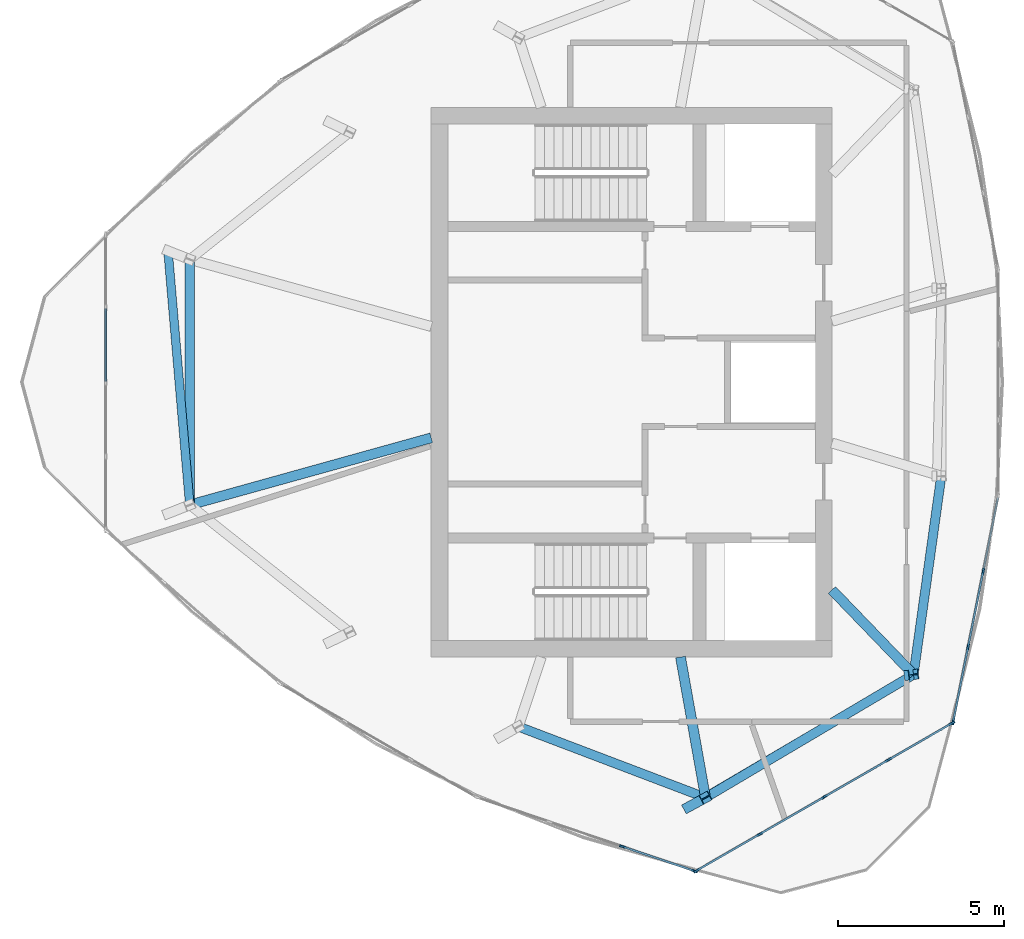
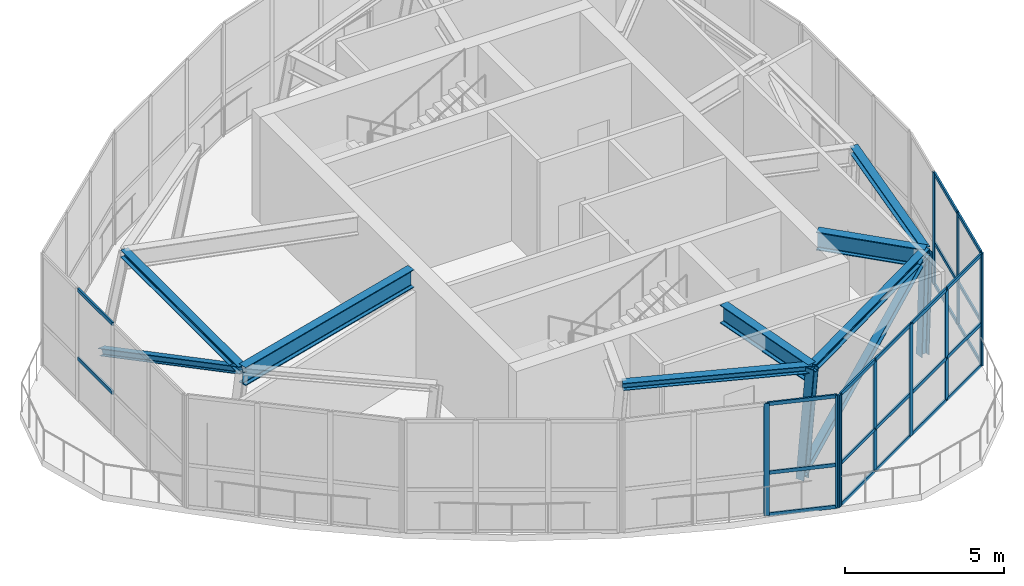
# One storey, part 2 of 11: 42 members, 3 beams, 4 elements without a shape of their own.
"""IFC4 building model written with IfcOpenShell, lengths in metres."""

from ifc_helpers import new_model, si_unit, direction, frame, origin, origin_2d, place, context, subcontext, project, spatial, rectangle, i_section, extrude, source, transform, mapped, material, layer, layer_set, material_profile, profile_set, type_object, element, aggregate, save


model = new_model("IFC4")

# Units and contexts
model_context = context("Model", 3, precision=1e-05, world=origin(), true_north=direction((0.0, 1.0)))
body_context = subcontext(model_context, "Body", "Model", "MODEL_VIEW")
ifc_project = project(units=[si_unit("LENGTHUNIT", "METRE"), si_unit("AREAUNIT", "SQUARE_METRE"), si_unit("VOLUMEUNIT", "CUBIC_METRE"), si_unit("PLANEANGLEUNIT", "RADIAN"), si_unit("MASSUNIT", "GRAM", prefix="KILO")], contexts=[model_context])

# Site, building, storey
site_placement = place(None, origin())
site = spatial("IfcSite", under=ifc_project, at=site_placement, CompositionType="ELEMENT")
building_placement = place(site_placement, origin())
building = spatial("IfcBuilding", under=site, at=building_placement, Name="Qafzar Sky-Pleat Residences", CompositionType="ELEMENT")
storey_placement = place(building_placement, frame((0.0, 0.0, 257.5)))
storey = spatial("IfcBuildingStorey", under=building, at=storey_placement, Name="L77 Crown", CompositionType="ELEMENT", Elevation=257.5)

# Members
ifc_material_1 = material(Name="Steel S460", Category="steel")
ifc_material_profile_1 = material_profile(ifc_material_1, i_section(OverallWidth=0.300048828125, OverallDepth=0.300048828125, WebThickness=0.010986328125, FlangeThickness=0.01904296875, FilletRadius=0.027099609375, at=origin_2d()), Name="HEB 300")
ifc_profile_set_1 = profile_set([ifc_material_profile_1], Name="Steel S460")
member_type_1 = type_object("IfcMemberType", Name="MEM-CROWN-RIB", PredefinedType="CHORD", material=ifc_profile_set_1)
shared_shape_1 = source(origin(), body_context, "Body", "SweptSolid", [
    extrude(i_section(OverallWidth=0.300048828125, OverallDepth=0.300048828125, WebThickness=0.010986328125, FlangeThickness=0.01904296875, FilletRadius=0.027099609375, at=origin_2d()), origin(), (0.0, 0.0, 1.0), 3.898193359375),
])
member_1_placement = place(storey_placement, frame((38.73291015625, 17.155029296875, 0.0), z_axis=(0.033318716266, 0.00413352495, 0.99943622964), x_axis=(-0.123116331212, 0.99239224553, 0.0)))
element("IfcMember", 1, at=member_1_placement, inside=storey, type_object=member_type_1, Name="L77 Crown CROWN FRAME Inclined Rib 6", PredefinedType="CHORD", context=body_context, shape_type="MappedRepresentation", body=[
    mapped(shared_shape_1, transform((0.0, 0.0, 0.0), x_axis=(1.0, 0.0, 0.0), y_axis=(0.0, 1.0, 0.0), z_axis=(0.0, 0.0, 1.0), scale=1.0)),
])
shared_shape_2 = source(origin(), body_context, "Body", "SweptSolid", [
    extrude(i_section(OverallWidth=0.300048828125, OverallDepth=0.300048828125, WebThickness=0.010986328125, FlangeThickness=0.01904296875, FilletRadius=0.027099609375, at=origin_2d()), origin(), (0.0, 0.0, 1.0), 3.941162109375),
])
member_2_placement = place(storey_placement, frame((32.060302734375, 13.169921875, 0.0), z_axis=(0.132627121481, 0.07210554386, 0.98853974993), x_axis=(-0.477644159148, 0.878553388948, 0.0)))
element("IfcMember", 2, at=member_2_placement, inside=storey, type_object=member_type_1, Name="L77 Crown CROWN FRAME Inclined Rib 5", PredefinedType="CHORD", context=body_context, shape_type="MappedRepresentation", body=[
    mapped(shared_shape_2, transform((0.0, 0.0, 0.0), x_axis=(1.0, 0.0, 0.0), y_axis=(0.0, 1.0, 0.0), z_axis=(0.0, 0.0, 1.0), scale=1.0)),
])
ifc_material_2 = material(Name="Steel S355", Category="steel")
ifc_material_profile_2 = material_profile(ifc_material_2, i_section(OverallWidth=0.280029296875, OverallDepth=0.280029296875, WebThickness=0.010498046875, FlangeThickness=0.01806640625, FilletRadius=0.02392578125, at=origin_2d()), Name="HEB 280")
ifc_profile_set_2 = profile_set([ifc_material_profile_2], Name="Steel S355")
member_type_2 = type_object("IfcMemberType", Name="MEM-CROWN-RING", PredefinedType="PURLIN", material=ifc_profile_set_2)
shared_shape_3 = source(origin(), body_context, "Body", "SweptSolid", [
    extrude(i_section(OverallWidth=0.280029296875, OverallDepth=0.280029296875, WebThickness=0.010498046875, FlangeThickness=0.01806640625, FilletRadius=0.02392578125, at=origin_2d()), origin(), (0.0, 0.0, 1.0), 7.41259765625),
])
member_3_placement = place(storey_placement, frame((17.010498046875, 29.706298828125, 3.906005859375), z_axis=(0.0, -1.0, 0.0), x_axis=(1.0, 0.0, 0.0)))
element("IfcMember", 3, at=member_3_placement, inside=storey, type_object=member_type_2, Name="L77 Crown CROWN FRAME Ring Beam 1", PredefinedType="PURLIN", context=body_context, shape_type="MappedRepresentation", body=[
    mapped(shared_shape_3, transform((0.0, 0.0, 0.0), x_axis=(1.0, 0.0, 0.0), y_axis=(0.0, 1.0, 0.0), z_axis=(0.0, 0.0, 1.0), scale=1.0)),
])
ifc_material_profile_3 = material_profile(ifc_material_2, i_section(OverallWidth=0.260009765625, OverallDepth=0.260009765625, WebThickness=0.010009765625, FlangeThickness=0.017578125, FilletRadius=0.02392578125, at=origin_2d()), Name="HEB 260")
ifc_profile_set_3 = profile_set([ifc_material_profile_3], Name="Steel S355")
member_type_3 = type_object("IfcMemberType", Name="MEM-CROWN-DIAG", PredefinedType="BRACE", material=ifc_profile_set_3)
shared_shape_4 = source(origin(), body_context, "Body", "SweptSolid", [
    extrude(i_section(OverallWidth=0.260009765625, OverallDepth=0.260009765625, WebThickness=0.010009765625, FlangeThickness=0.017578125, FilletRadius=0.02392578125, at=origin_2d()), origin(), (0.0, 0.0, 1.0), 8.548583984375),
])
member_4_placement = place(storey_placement, frame((16.35302734375, 29.96435546875, 0.199951171875), z_axis=(0.076908816014, -0.89728855935, 0.43469331175), x_axis=(0.996346803229, 0.085399342471, 0.0)))
element("IfcMember", 4, at=member_4_placement, inside=storey, type_object=member_type_3, Name="L77 Crown CROWN FRAME Wind Brace 1", PredefinedType="BRACE", context=body_context, shape_type="MappedRepresentation", body=[
    mapped(shared_shape_4, transform((0.0, 0.0, 0.0), x_axis=(1.0, 0.0, 0.0), y_axis=(0.0, 1.0, 0.0), z_axis=(0.0, 0.0, 1.0), scale=1.0)),
])
shared_shape_5 = source(origin(), body_context, "Body", "SweptSolid", [
    extrude(i_section(OverallWidth=0.280029296875, OverallDepth=0.280029296875, WebThickness=0.010498046875, FlangeThickness=0.01806640625, FilletRadius=0.02392578125, at=origin_2d()), origin(), (0.0, 0.0, 1.0), 6.0439453125),
])
member_5_placement = place(storey_placement, frame((26.93310546875, 15.600830078125, 3.906005859375), z_axis=(0.934796456335, -0.355183875229, 0.0), x_axis=(0.355183875229, 0.934796456335, 0.0)))
element("IfcMember", 5, at=member_5_placement, inside=storey, type_object=member_type_2, Name="L77 Crown CROWN FRAME Ring Beam 4", PredefinedType="PURLIN", context=body_context, shape_type="MappedRepresentation", body=[
    mapped(shared_shape_5, transform((0.0, 0.0, 0.0), x_axis=(1.0, 0.0, 0.0), y_axis=(0.0, 1.0, 0.0), z_axis=(0.0, 0.0, 1.0), scale=1.0)),
])
shared_shape_6 = source(origin(), body_context, "Body", "SweptSolid", [
    extrude(i_section(OverallWidth=0.280029296875, OverallDepth=0.280029296875, WebThickness=0.010498046875, FlangeThickness=0.01806640625, FilletRadius=0.02392578125, at=origin_2d()), origin(), (0.0, 0.0, 1.0), 7.29736328125),
])
member_6_placement = place(storey_placement, frame((32.5830078125, 13.4541015625, 3.906005859375), z_axis=(0.860550645599, 0.509364885283, 0.0), x_axis=(-0.509364885283, 0.860550645599, 0.0)))
element("IfcMember", 6, at=member_6_placement, inside=storey, type_object=member_type_2, Name="L77 Crown CROWN FRAME Ring Beam 5", PredefinedType="PURLIN", context=body_context, shape_type="MappedRepresentation", body=[
    mapped(shared_shape_6, transform((0.0, 0.0, 0.0), x_axis=(1.0, 0.0, 0.0), y_axis=(0.0, 1.0, 0.0), z_axis=(0.0, 0.0, 1.0), scale=1.0)),
])
shared_shape_7 = source(origin(), body_context, "Body", "SweptSolid", [
    extrude(i_section(OverallWidth=0.260009765625, OverallDepth=0.260009765625, WebThickness=0.010009765625, FlangeThickness=0.017578125, FilletRadius=0.02392578125, at=origin_2d()), origin(), (0.0, 0.0, 1.0), 8.72314453125),
])
member_7_placement = place(storey_placement, frame((32.060302734375, 13.169921875, 0.199951171875), z_axis=(0.779823312724, 0.458691607947, 0.426001889351), x_axis=(-0.50699714367, 0.861947734094, 0.0)))
element("IfcMember", 7, at=member_7_placement, inside=storey, type_object=member_type_3, Name="L77 Crown CROWN FRAME Wind Brace 5", PredefinedType="BRACE", context=body_context, shape_type="MappedRepresentation", body=[
    mapped(shared_shape_7, transform((0.0, 0.0, 0.0), x_axis=(1.0, 0.0, 0.0), y_axis=(0.0, 1.0, 0.0), z_axis=(0.0, 0.0, 1.0), scale=1.0)),
])
shared_shape_8 = source(origin(), body_context, "Body", "SweptSolid", [
    extrude(i_section(OverallWidth=0.280029296875, OverallDepth=0.280029296875, WebThickness=0.010498046875, FlangeThickness=0.01806640625, FilletRadius=0.02392578125, at=origin_2d()), origin(), (0.0, 0.0, 1.0), 6.050048828125),
])
member_8_placement = place(storey_placement, frame((38.86279296875, 17.171142578125, 3.906005859375), z_axis=(0.138494279914, 0.990363233582, 0.0), x_axis=(-0.990363233582, 0.138494279914, 0.0)))
element("IfcMember", 8, at=member_8_placement, inside=storey, type_object=member_type_2, Name="L77 Crown CROWN FRAME Ring Beam 6", PredefinedType="PURLIN", context=body_context, shape_type="MappedRepresentation", body=[
    mapped(shared_shape_8, transform((0.0, 0.0, 0.0), x_axis=(1.0, 0.0, 0.0), y_axis=(0.0, 1.0, 0.0), z_axis=(0.0, 0.0, 1.0), scale=1.0)),
])

# Beams
ifc_material_profile_4 = material_profile(ifc_material_1, i_section(OverallWidth=0.300048828125, OverallDepth=0.699951171875, WebThickness=0.01708984375, FlangeThickness=0.031982421875, FilletRadius=0.027099609375, at=origin_2d()), Name="HEB 700")
ifc_profile_set_4 = profile_set([ifc_material_profile_4], Name="Steel S460")
beam_type = type_object("IfcBeamType", Name="BM-CHORD-HEB700", PredefinedType="BEAM", material=ifc_profile_set_4)
shared_shape_9 = source(origin(), body_context, "Body", "SweptSolid", [
    extrude(i_section(OverallWidth=0.300048828125, OverallDepth=0.699951171875, WebThickness=0.01708984375, FlangeThickness=0.031982421875, FilletRadius=0.027099609375, at=origin_2d()), origin(), (0.0, 0.0, 1.0), 7.565673828125),
])
beam_1_placement = place(storey_placement, frame((17.010498046875, 22.293701171875, 3.697998046875), z_axis=(0.963500339675, 0.267707107574, 0.0), x_axis=(-0.267707107574, 0.963500339675, 0.0)))
element("IfcBeam", 9, at=beam_1_placement, inside=storey, type_object=beam_type, Name="L78 Crown Crown Rib Base Transfer Beam 2", PredefinedType="BEAM", context=body_context, shape_type="MappedRepresentation", body=[
    mapped(shared_shape_9, transform((0.0, 0.0, 0.0), x_axis=(1.0, 0.0, 0.0), y_axis=(0.0, 1.0, 0.0), z_axis=(0.0, 0.0, 1.0), scale=1.0)),
])
shared_shape_10 = source(origin(), body_context, "Body", "SweptSolid", [
    extrude(i_section(OverallWidth=0.300048828125, OverallDepth=0.699951171875, WebThickness=0.01708984375, FlangeThickness=0.031982421875, FilletRadius=0.027099609375, at=origin_2d()), origin(), (0.0, 0.0, 1.0), 4.3125),
])
beam_2_placement = place(storey_placement, frame((32.5830078125, 13.4541015625, 3.697998046875), z_axis=(-0.175212597054, 0.98453062209, 0.0), x_axis=(-0.98453062209, -0.175212597054, 0.0)))
element("IfcBeam", 10, at=beam_2_placement, inside=storey, type_object=beam_type, Name="L78 Crown Crown Rib Base Transfer Beam 5", PredefinedType="BEAM", context=body_context, shape_type="MappedRepresentation", body=[
    mapped(shared_shape_10, transform((0.0, 0.0, 0.0), x_axis=(1.0, 0.0, 0.0), y_axis=(0.0, 1.0, 0.0), z_axis=(0.0, 0.0, 1.0), scale=1.0)),
])
shared_shape_11 = source(origin(), body_context, "Body", "SweptSolid", [
    extrude(i_section(OverallWidth=0.300048828125, OverallDepth=0.699951171875, WebThickness=0.01708984375, FlangeThickness=0.031982421875, FilletRadius=0.027099609375, at=origin_2d()), origin(), (0.0, 0.0, 1.0), 3.548095703125),
])
beam_3_placement = place(storey_placement, frame((38.86279296875, 17.171142578125, 3.697998046875), z_axis=(-0.6941228369, 0.719856574113, 0.0), x_axis=(-0.719856574113, -0.6941228369, 0.0)))
element("IfcBeam", 11, at=beam_3_placement, inside=storey, type_object=beam_type, Name="L78 Crown Crown Rib Base Transfer Beam 6", PredefinedType="BEAM", context=body_context, shape_type="MappedRepresentation", body=[
    mapped(shared_shape_11, transform((0.0, 0.0, 0.0), x_axis=(1.0, 0.0, 0.0), y_axis=(0.0, 1.0, 0.0), z_axis=(0.0, 0.0, 1.0), scale=1.0)),
])

# Curtain wall, members
ifc_material_3 = material(Name="Anodised bronze aluminium framing", Category="aluminium")
ifc_layer = layer(ifc_material_3, 0.179931640625)
ifc_layer_set = layer_set([ifc_layer], Name="Anodised bronze aluminium framing")
curtain_wall_type = type_object("IfcCurtainWallType", Name="CW-SYS-06", PredefinedType="NOTDEFINED", material=ifc_layer_set)
curtain_wall_1_placement = place(storey_placement, origin())
curtain_wall_1 = element("IfcCurtainWall", 12, at=curtain_wall_1_placement, inside=storey, type_object=curtain_wall_type, Name="L77 Crown CW-06 Curtain Wall CW-CROWN-02-04", PredefinedType="NOTDEFINED")
ifc_material_4 = material(Name="Anodised bronze aluminium", Category="aluminium")
ifc_material_profile_5 = material_profile(ifc_material_4, rectangle(XDim=0.06005859375, YDim=0.179931640625, at=origin_2d()), Name="ALU MULLION 60x180")
ifc_profile_set_5 = profile_set([ifc_material_profile_5], Name="Anodised bronze aluminium")
member_type_4 = type_object("IfcMemberType", Name="CWM-06", PredefinedType="MULLION", material=ifc_profile_set_5)
shared_shape_12 = source(origin(), body_context, "Body", "SweptSolid", [
    extrude(rectangle(XDim=0.06005859375, YDim=0.179931640625, at=origin_2d()), origin(), (0.0, 0.0, 1.0), 4.300048828125),
])
member_9_placement = place(storey_placement, frame((30.07373046875, 11.97900390625, 0.0), z_axis=(0.0, 0.0, 1.0), x_axis=(0.320448247802, 0.947266024135, 0.0)))
member_9 = element("IfcMember", 13, at=member_9_placement, type_object=member_type_4, Name="CW-06 mullion 3", PredefinedType="MULLION", context=body_context, shape_type="MappedRepresentation", body=[
    mapped(shared_shape_12, transform((0.0, 0.0, 0.0), x_axis=(1.0, 0.0, 0.0), y_axis=(0.0, 1.0, 0.0), z_axis=(0.0, 0.0, 1.0), scale=1.0)),
])
member_10_placement = place(storey_placement, frame((32.252197265625, 11.241943359375, 0.0), z_axis=(0.0, 0.0, 1.0), x_axis=(0.320448247802, 0.947266024135, 0.0)))
member_10 = element("IfcMember", 14, at=member_10_placement, type_object=member_type_4, Name="CW-06 mullion 4", PredefinedType="MULLION", context=body_context, shape_type="MappedRepresentation", body=[
    mapped(shared_shape_12, transform((0.0, 0.0, 0.0), x_axis=(1.0, 0.0, 0.0), y_axis=(0.0, 1.0, 0.0), z_axis=(0.0, 0.0, 1.0), scale=1.0)),
])

curtain_wall_2_placement = place(storey_placement, origin())
curtain_wall_2 = element("IfcCurtainWall", 15, at=curtain_wall_2_placement, inside=storey, type_object=curtain_wall_type, Name="L77 Crown CW-06 Curtain Wall CW-CROWN-02-05", PredefinedType="NOTDEFINED")
member_11_placement = place(storey_placement, frame((32.306640625, 11.247314453125, 0.0), z_axis=(0.0, 0.0, 1.0), x_axis=(-0.500002817009, 0.866023777377, 0.0)))
member_11 = element("IfcMember", 16, at=member_11_placement, type_object=member_type_4, Name="CW-06 mullion 1", PredefinedType="MULLION", context=body_context, shape_type="MappedRepresentation", body=[
    mapped(shared_shape_12, transform((0.0, 0.0, 0.0), x_axis=(1.0, 0.0, 0.0), y_axis=(0.0, 1.0, 0.0), z_axis=(0.0, 0.0, 1.0), scale=1.0)),
])
member_12_placement = place(storey_placement, frame((34.2236328125, 12.354248046875, 0.0), z_axis=(0.0, 0.0, 1.0), x_axis=(-0.500002817009, 0.866023777377, 0.0)))
member_12 = element("IfcMember", 17, at=member_12_placement, type_object=member_type_4, Name="CW-06 mullion 2", PredefinedType="MULLION", context=body_context, shape_type="MappedRepresentation", body=[
    mapped(shared_shape_12, transform((0.0, 0.0, 0.0), x_axis=(1.0, 0.0, 0.0), y_axis=(0.0, 1.0, 0.0), z_axis=(0.0, 0.0, 1.0), scale=1.0)),
])
member_13_placement = place(storey_placement, frame((36.166748046875, 13.47607421875, 0.0), z_axis=(0.0, 0.0, 1.0), x_axis=(-0.500002817009, 0.866023777377, 0.0)))
member_13 = element("IfcMember", 18, at=member_13_placement, type_object=member_type_4, Name="CW-06 mullion 3", PredefinedType="MULLION", context=body_context, shape_type="MappedRepresentation", body=[
    mapped(shared_shape_12, transform((0.0, 0.0, 0.0), x_axis=(1.0, 0.0, 0.0), y_axis=(0.0, 1.0, 0.0), z_axis=(0.0, 0.0, 1.0), scale=1.0)),
])
member_14_placement = place(storey_placement, frame((38.109619140625, 14.597900390625, 0.0), z_axis=(0.0, 0.0, 1.0), x_axis=(-0.500002817009, 0.866023777377, 0.0)))
member_14 = element("IfcMember", 19, at=member_14_placement, type_object=member_type_4, Name="CW-06 mullion 4", PredefinedType="MULLION", context=body_context, shape_type="MappedRepresentation", body=[
    mapped(shared_shape_12, transform((0.0, 0.0, 0.0), x_axis=(1.0, 0.0, 0.0), y_axis=(0.0, 1.0, 0.0), z_axis=(0.0, 0.0, 1.0), scale=1.0)),
])
member_15_placement = place(storey_placement, frame((40.026611328125, 15.70458984375, 0.0), z_axis=(0.0, 0.0, 1.0), x_axis=(-0.500002817009, 0.866023777377, 0.0)))
member_15 = element("IfcMember", 20, at=member_15_placement, type_object=member_type_4, Name="CW-06 mullion 5", PredefinedType="MULLION", context=body_context, shape_type="MappedRepresentation", body=[
    mapped(shared_shape_12, transform((0.0, 0.0, 0.0), x_axis=(1.0, 0.0, 0.0), y_axis=(0.0, 1.0, 0.0), z_axis=(0.0, 0.0, 1.0), scale=1.0)),
])

curtain_wall_3_placement = place(storey_placement, origin())
curtain_wall_3 = element("IfcCurtainWall", 21, at=curtain_wall_3_placement, inside=storey, type_object=curtain_wall_type, Name="L77 Crown CW-06 Curtain Wall CW-CROWN-02-06", PredefinedType="NOTDEFINED")
member_16_placement = place(storey_placement, frame((40.05859375, 15.7490234375, 0.0), z_axis=(0.0, 0.0, 1.0), x_axis=(-0.980578474476, 0.196127140892, 0.0)))
member_16 = element("IfcMember", 22, at=member_16_placement, type_object=member_type_4, Name="CW-06 mullion 1", PredefinedType="MULLION", context=body_context, shape_type="MappedRepresentation", body=[
    mapped(shared_shape_12, transform((0.0, 0.0, 0.0), x_axis=(1.0, 0.0, 0.0), y_axis=(0.0, 1.0, 0.0), z_axis=(0.0, 0.0, 1.0), scale=1.0)),
])
member_17_placement = place(storey_placement, frame((40.509521484375, 18.004150390625, 0.0), z_axis=(0.0, 0.0, 1.0), x_axis=(-0.980578474476, 0.196127140892, 0.0)))
member_17 = element("IfcMember", 23, at=member_17_placement, type_object=member_type_4, Name="CW-06 mullion 2", PredefinedType="MULLION", context=body_context, shape_type="MappedRepresentation", body=[
    mapped(shared_shape_12, transform((0.0, 0.0, 0.0), x_axis=(1.0, 0.0, 0.0), y_axis=(0.0, 1.0, 0.0), z_axis=(0.0, 0.0, 1.0), scale=1.0)),
])
member_18_placement = place(storey_placement, frame((40.966552734375, 20.28857421875, 0.0), z_axis=(0.0, 0.0, 1.0), x_axis=(-0.980578474476, 0.196127140892, 0.0)))
member_18 = element("IfcMember", 24, at=member_18_placement, type_object=member_type_4, Name="CW-06 mullion 3", PredefinedType="MULLION", context=body_context, shape_type="MappedRepresentation", body=[
    mapped(shared_shape_12, transform((0.0, 0.0, 0.0), x_axis=(1.0, 0.0, 0.0), y_axis=(0.0, 1.0, 0.0), z_axis=(0.0, 0.0, 1.0), scale=1.0)),
])

# Member
ifc_material_profile_6 = material_profile(ifc_material_4, rectangle(XDim=0.06005859375, YDim=0.135009765625, at=origin_2d()), Name="ALU TRANSOM 60x135")
ifc_profile_set_6 = profile_set([ifc_material_profile_6], Name="Anodised bronze aluminium")
member_type_5 = type_object("IfcMemberType", Name="CWT-06", PredefinedType="USERDEFINED", material=ifc_profile_set_6)
shared_shape_13 = source(origin(), body_context, "Body", "SweptSolid", [
    extrude(rectangle(XDim=0.06005859375, YDim=0.135009765625, at=origin_2d()), origin(), (0.0, 0.0, 1.0), 2.153564453125),
])
member_19_placement = place(storey_placement, frame((32.332763671875, 11.262451171875, 0.030029296875), z_axis=(0.866043994353, 0.499967798808, 0.0), x_axis=(-0.499967798808, 0.866043994353, 0.0)))
member_19 = element("IfcMember", 25, at=member_19_placement, type_object=member_type_5, Name="CW-06 transom 1.1", ObjectType="TRANSOM", PredefinedType="USERDEFINED", context=body_context, shape_type="MappedRepresentation", body=[
    mapped(shared_shape_13, transform((0.0, 0.0, 0.0), x_axis=(1.0, 0.0, 0.0), y_axis=(0.0, 1.0, 0.0), z_axis=(0.0, 0.0, 1.0), scale=1.0)),
])

member_20_placement = place(storey_placement, frame((32.332763671875, 11.262451171875, 1.634033203125), z_axis=(0.866043994353, 0.499967798808, 0.0), x_axis=(-0.499967798808, 0.866043994353, 0.0)))
member_20 = element("IfcMember", 26, at=member_20_placement, type_object=member_type_5, Name="CW-06 transom 1.2", ObjectType="TRANSOM", PredefinedType="USERDEFINED", context=body_context, shape_type="MappedRepresentation", body=[
    mapped(shared_shape_13, transform((0.0, 0.0, 0.0), x_axis=(1.0, 0.0, 0.0), y_axis=(0.0, 1.0, 0.0), z_axis=(0.0, 0.0, 1.0), scale=1.0)),
])

member_21_placement = place(storey_placement, frame((32.332763671875, 11.262451171875, 4.27001953125), z_axis=(0.866043994353, 0.499967798808, 0.0), x_axis=(-0.499967798808, 0.866043994353, 0.0)))
member_21 = element("IfcMember", 27, at=member_21_placement, type_object=member_type_5, Name="CW-06 transom 1.3", ObjectType="TRANSOM", PredefinedType="USERDEFINED", context=body_context, shape_type="MappedRepresentation", body=[
    mapped(shared_shape_13, transform((0.0, 0.0, 0.0), x_axis=(1.0, 0.0, 0.0), y_axis=(0.0, 1.0, 0.0), z_axis=(0.0, 0.0, 1.0), scale=1.0)),
])

member_22_placement = place(storey_placement, frame((38.1357421875, 14.61279296875, 0.030029296875), z_axis=(0.865994903821, 0.500052823767, 0.0), x_axis=(-0.500052823767, 0.865994903821, 0.0)))
member_22 = element("IfcMember", 28, at=member_22_placement, type_object=member_type_5, Name="CW-06 transom 4.1", ObjectType="TRANSOM", PredefinedType="USERDEFINED", context=body_context, shape_type="MappedRepresentation", body=[
    mapped(shared_shape_13, transform((0.0, 0.0, 0.0), x_axis=(1.0, 0.0, 0.0), y_axis=(0.0, 1.0, 0.0), z_axis=(0.0, 0.0, 1.0), scale=1.0)),
])

member_23_placement = place(storey_placement, frame((38.1357421875, 14.61279296875, 1.634033203125), z_axis=(0.865994903821, 0.500052823767, 0.0), x_axis=(-0.500052823767, 0.865994903821, 0.0)))
member_23 = element("IfcMember", 29, at=member_23_placement, type_object=member_type_5, Name="CW-06 transom 4.2", ObjectType="TRANSOM", PredefinedType="USERDEFINED", context=body_context, shape_type="MappedRepresentation", body=[
    mapped(shared_shape_13, transform((0.0, 0.0, 0.0), x_axis=(1.0, 0.0, 0.0), y_axis=(0.0, 1.0, 0.0), z_axis=(0.0, 0.0, 1.0), scale=1.0)),
])

member_24_placement = place(storey_placement, frame((38.1357421875, 14.61279296875, 4.27001953125), z_axis=(0.865994903821, 0.500052823767, 0.0), x_axis=(-0.500052823767, 0.865994903821, 0.0)))
member_24 = element("IfcMember", 30, at=member_24_placement, type_object=member_type_5, Name="CW-06 transom 4.3", ObjectType="TRANSOM", PredefinedType="USERDEFINED", context=body_context, shape_type="MappedRepresentation", body=[
    mapped(shared_shape_13, transform((0.0, 0.0, 0.0), x_axis=(1.0, 0.0, 0.0), y_axis=(0.0, 1.0, 0.0), z_axis=(0.0, 0.0, 1.0), scale=1.0)),
])

# Curtain wall, members
curtain_wall_4_placement = place(storey_placement, origin())
curtain_wall_4 = element("IfcCurtainWall", 31, at=curtain_wall_4_placement, inside=storey, type_object=curtain_wall_type, Name="L77 Crown CW-06 Curtain Wall CW-CROWN-02-01", PredefinedType="NOTDEFINED")
shared_shape_14 = source(origin(), body_context, "Body", "SweptSolid", [
    extrude(rectangle(XDim=0.06005859375, YDim=0.135009765625, at=origin_2d()), origin(), (0.0, 0.0, 1.0), 2.18359375),
])
member_25_placement = place(storey_placement, frame((14.474609375, 28.213623046875, 1.634033203125), z_axis=(0.0, -1.0, 0.0), x_axis=(1.0, 0.0, 0.0)))
member_25 = element("IfcMember", 32, at=member_25_placement, type_object=member_type_5, Name="CW-06 transom 2.2", ObjectType="TRANSOM", PredefinedType="USERDEFINED", context=body_context, shape_type="MappedRepresentation", body=[
    mapped(shared_shape_14, transform((0.0, 0.0, 0.0), x_axis=(1.0, 0.0, 0.0), y_axis=(0.0, 1.0, 0.0), z_axis=(0.0, 0.0, 1.0), scale=1.0)),
])
member_26_placement = place(storey_placement, frame((14.474609375, 28.213623046875, 4.27001953125), z_axis=(0.0, -1.0, 0.0), x_axis=(1.0, 0.0, 0.0)))
member_26 = element("IfcMember", 33, at=member_26_placement, type_object=member_type_5, Name="CW-06 transom 2.3", ObjectType="TRANSOM", PredefinedType="USERDEFINED", context=body_context, shape_type="MappedRepresentation", body=[
    mapped(shared_shape_14, transform((0.0, 0.0, 0.0), x_axis=(1.0, 0.0, 0.0), y_axis=(0.0, 1.0, 0.0), z_axis=(0.0, 0.0, 1.0), scale=1.0)),
])
aggregate(curtain_wall_4, [member_25, member_26])

# Member
member_27_placement = place(storey_placement, frame((36.192626953125, 13.490966796875, 0.030029296875), z_axis=(0.866032916588, 0.499986987217, 0.0), x_axis=(-0.499986987217, 0.866032916588, 0.0)))
member_27 = element("IfcMember", 34, at=member_27_placement, type_object=member_type_5, Name="CW-06 transom 3.1", ObjectType="TRANSOM", PredefinedType="USERDEFINED", context=body_context, shape_type="MappedRepresentation", body=[
    mapped(shared_shape_14, transform((0.0, 0.0, 0.0), x_axis=(1.0, 0.0, 0.0), y_axis=(0.0, 1.0, 0.0), z_axis=(0.0, 0.0, 1.0), scale=1.0)),
])

member_28_placement = place(storey_placement, frame((36.192626953125, 13.490966796875, 1.634033203125), z_axis=(0.866032916588, 0.499986987217, 0.0), x_axis=(-0.499986987217, 0.866032916588, 0.0)))
member_28 = element("IfcMember", 35, at=member_28_placement, type_object=member_type_5, Name="CW-06 transom 3.2", ObjectType="TRANSOM", PredefinedType="USERDEFINED", context=body_context, shape_type="MappedRepresentation", body=[
    mapped(shared_shape_14, transform((0.0, 0.0, 0.0), x_axis=(1.0, 0.0, 0.0), y_axis=(0.0, 1.0, 0.0), z_axis=(0.0, 0.0, 1.0), scale=1.0)),
])

member_29_placement = place(storey_placement, frame((36.192626953125, 13.490966796875, 4.27001953125), z_axis=(0.866032916588, 0.499986987217, 0.0), x_axis=(-0.499986987217, 0.866032916588, 0.0)))
member_29 = element("IfcMember", 36, at=member_29_placement, type_object=member_type_5, Name="CW-06 transom 3.3", ObjectType="TRANSOM", PredefinedType="USERDEFINED", context=body_context, shape_type="MappedRepresentation", body=[
    mapped(shared_shape_14, transform((0.0, 0.0, 0.0), x_axis=(1.0, 0.0, 0.0), y_axis=(0.0, 1.0, 0.0), z_axis=(0.0, 0.0, 1.0), scale=1.0)),
])

shared_shape_15 = source(origin(), body_context, "Body", "SweptSolid", [
    extrude(rectangle(XDim=0.06005859375, YDim=0.135009765625, at=origin_2d()), origin(), (0.0, 0.0, 1.0), 2.23974609375),
])
member_30_placement = place(storey_placement, frame((30.102294921875, 11.96923828125, 0.030029296875), z_axis=(0.947289790121, -0.320377985405, 0.0), x_axis=(0.320377985405, 0.947289790121, 0.0)))
member_30 = element("IfcMember", 37, at=member_30_placement, type_object=member_type_5, Name="CW-06 transom 3.1", ObjectType="TRANSOM", PredefinedType="USERDEFINED", context=body_context, shape_type="MappedRepresentation", body=[
    mapped(shared_shape_15, transform((0.0, 0.0, 0.0), x_axis=(1.0, 0.0, 0.0), y_axis=(0.0, 1.0, 0.0), z_axis=(0.0, 0.0, 1.0), scale=1.0)),
])

member_31_placement = place(storey_placement, frame((30.102294921875, 11.96923828125, 1.634033203125), z_axis=(0.947289790121, -0.320377985405, 0.0), x_axis=(0.320377985405, 0.947289790121, 0.0)))
member_31 = element("IfcMember", 38, at=member_31_placement, type_object=member_type_5, Name="CW-06 transom 3.2", ObjectType="TRANSOM", PredefinedType="USERDEFINED", context=body_context, shape_type="MappedRepresentation", body=[
    mapped(shared_shape_15, transform((0.0, 0.0, 0.0), x_axis=(1.0, 0.0, 0.0), y_axis=(0.0, 1.0, 0.0), z_axis=(0.0, 0.0, 1.0), scale=1.0)),
])

member_32_placement = place(storey_placement, frame((30.102294921875, 11.96923828125, 4.27001953125), z_axis=(0.947289790121, -0.320377985405, 0.0), x_axis=(0.320377985405, 0.947289790121, 0.0)))
member_32 = element("IfcMember", 39, at=member_32_placement, type_object=member_type_5, Name="CW-06 transom 3.3", ObjectType="TRANSOM", PredefinedType="USERDEFINED", context=body_context, shape_type="MappedRepresentation", body=[
    mapped(shared_shape_15, transform((0.0, 0.0, 0.0), x_axis=(1.0, 0.0, 0.0), y_axis=(0.0, 1.0, 0.0), z_axis=(0.0, 0.0, 1.0), scale=1.0)),
])

aggregate(curtain_wall_1, [member_9, member_10, member_30, member_31, member_32])

member_33_placement = place(storey_placement, frame((40.064453125, 15.7783203125, 0.030029296875), z_axis=(0.196095173109, 0.980584867864, 0.0), x_axis=(-0.980584867864, 0.196095173109, 0.0)))
member_33 = element("IfcMember", 40, at=member_33_placement, type_object=member_type_5, Name="CW-06 transom 1.1", ObjectType="TRANSOM", PredefinedType="USERDEFINED", context=body_context, shape_type="MappedRepresentation", body=[
    mapped(shared_shape_15, transform((0.0, 0.0, 0.0), x_axis=(1.0, 0.0, 0.0), y_axis=(0.0, 1.0, 0.0), z_axis=(0.0, 0.0, 1.0), scale=1.0)),
])

member_34_placement = place(storey_placement, frame((40.064453125, 15.7783203125, 1.634033203125), z_axis=(0.196095173109, 0.980584867864, 0.0), x_axis=(-0.980584867864, 0.196095173109, 0.0)))
member_34 = element("IfcMember", 41, at=member_34_placement, type_object=member_type_5, Name="CW-06 transom 1.2", ObjectType="TRANSOM", PredefinedType="USERDEFINED", context=body_context, shape_type="MappedRepresentation", body=[
    mapped(shared_shape_15, transform((0.0, 0.0, 0.0), x_axis=(1.0, 0.0, 0.0), y_axis=(0.0, 1.0, 0.0), z_axis=(0.0, 0.0, 1.0), scale=1.0)),
])

member_35_placement = place(storey_placement, frame((40.064453125, 15.7783203125, 4.27001953125), z_axis=(0.196095173109, 0.980584867864, 0.0), x_axis=(-0.980584867864, 0.196095173109, 0.0)))
member_35 = element("IfcMember", 42, at=member_35_placement, type_object=member_type_5, Name="CW-06 transom 1.3", ObjectType="TRANSOM", PredefinedType="USERDEFINED", context=body_context, shape_type="MappedRepresentation", body=[
    mapped(shared_shape_15, transform((0.0, 0.0, 0.0), x_axis=(1.0, 0.0, 0.0), y_axis=(0.0, 1.0, 0.0), z_axis=(0.0, 0.0, 1.0), scale=1.0)),
])

member_36_placement = place(storey_placement, frame((40.972412109375, 20.318115234375, 0.030029296875), z_axis=(0.196095173109, 0.980584867864, 0.0), x_axis=(-0.980584867864, 0.196095173109, 0.0)))
member_36 = element("IfcMember", 43, at=member_36_placement, type_object=member_type_5, Name="CW-06 transom 3.1", ObjectType="TRANSOM", PredefinedType="USERDEFINED", context=body_context, shape_type="MappedRepresentation", body=[
    mapped(shared_shape_15, transform((0.0, 0.0, 0.0), x_axis=(1.0, 0.0, 0.0), y_axis=(0.0, 1.0, 0.0), z_axis=(0.0, 0.0, 1.0), scale=1.0)),
])

shared_shape_16 = source(origin(), body_context, "Body", "SweptSolid", [
    extrude(rectangle(XDim=0.06005859375, YDim=0.135009765625, at=origin_2d()), origin(), (0.0, 0.0, 1.0), 2.269775390625),
])
member_37_placement = place(storey_placement, frame((40.515625, 18.033447265625, 0.030029296875), z_axis=(0.196074767234, 0.980588948364, 0.0), x_axis=(-0.980588948364, 0.196074767234, 0.0)))
member_37 = element("IfcMember", 44, at=member_37_placement, type_object=member_type_5, Name="CW-06 transom 2.1", ObjectType="TRANSOM", PredefinedType="USERDEFINED", context=body_context, shape_type="MappedRepresentation", body=[
    mapped(shared_shape_16, transform((0.0, 0.0, 0.0), x_axis=(1.0, 0.0, 0.0), y_axis=(0.0, 1.0, 0.0), z_axis=(0.0, 0.0, 1.0), scale=1.0)),
])

member_38_placement = place(storey_placement, frame((40.515625, 18.033447265625, 1.634033203125), z_axis=(0.196074767234, 0.980588948364, 0.0), x_axis=(-0.980588948364, 0.196074767234, 0.0)))
member_38 = element("IfcMember", 45, at=member_38_placement, type_object=member_type_5, Name="CW-06 transom 2.2", ObjectType="TRANSOM", PredefinedType="USERDEFINED", context=body_context, shape_type="MappedRepresentation", body=[
    mapped(shared_shape_16, transform((0.0, 0.0, 0.0), x_axis=(1.0, 0.0, 0.0), y_axis=(0.0, 1.0, 0.0), z_axis=(0.0, 0.0, 1.0), scale=1.0)),
])

member_39_placement = place(storey_placement, frame((40.515625, 18.033447265625, 4.27001953125), z_axis=(0.196074767234, 0.980588948364, 0.0), x_axis=(-0.980588948364, 0.196074767234, 0.0)))
member_39 = element("IfcMember", 46, at=member_39_placement, type_object=member_type_5, Name="CW-06 transom 2.3", ObjectType="TRANSOM", PredefinedType="USERDEFINED", context=body_context, shape_type="MappedRepresentation", body=[
    mapped(shared_shape_16, transform((0.0, 0.0, 0.0), x_axis=(1.0, 0.0, 0.0), y_axis=(0.0, 1.0, 0.0), z_axis=(0.0, 0.0, 1.0), scale=1.0)),
])

aggregate(curtain_wall_3, [member_16, member_17, member_18, member_33, member_34, member_35, member_37, member_38, member_39, member_36])

shared_shape_17 = source(origin(), body_context, "Body", "SweptSolid", [
    extrude(rectangle(XDim=0.06005859375, YDim=0.135009765625, at=origin_2d()), origin(), (0.0, 0.0, 1.0), 2.183349609375),
])
member_40_placement = place(storey_placement, frame((34.249755859375, 12.369140625, 0.030029296875), z_axis=(0.866004963011, 0.500035402787, 0.0), x_axis=(-0.500035402787, 0.866004963011, 0.0)))
member_40 = element("IfcMember", 47, at=member_40_placement, type_object=member_type_5, Name="CW-06 transom 2.1", ObjectType="TRANSOM", PredefinedType="USERDEFINED", context=body_context, shape_type="MappedRepresentation", body=[
    mapped(shared_shape_17, transform((0.0, 0.0, 0.0), x_axis=(1.0, 0.0, 0.0), y_axis=(0.0, 1.0, 0.0), z_axis=(0.0, 0.0, 1.0), scale=1.0)),
])

member_41_placement = place(storey_placement, frame((34.249755859375, 12.369140625, 1.634033203125), z_axis=(0.866004963011, 0.500035402787, 0.0), x_axis=(-0.500035402787, 0.866004963011, 0.0)))
member_41 = element("IfcMember", 48, at=member_41_placement, type_object=member_type_5, Name="CW-06 transom 2.2", ObjectType="TRANSOM", PredefinedType="USERDEFINED", context=body_context, shape_type="MappedRepresentation", body=[
    mapped(shared_shape_17, transform((0.0, 0.0, 0.0), x_axis=(1.0, 0.0, 0.0), y_axis=(0.0, 1.0, 0.0), z_axis=(0.0, 0.0, 1.0), scale=1.0)),
])

member_42_placement = place(storey_placement, frame((34.249755859375, 12.369140625, 4.27001953125), z_axis=(0.866004963011, 0.500035402787, 0.0), x_axis=(-0.500035402787, 0.866004963011, 0.0)))
member_42 = element("IfcMember", 49, at=member_42_placement, type_object=member_type_5, Name="CW-06 transom 2.3", ObjectType="TRANSOM", PredefinedType="USERDEFINED", context=body_context, shape_type="MappedRepresentation", body=[
    mapped(shared_shape_17, transform((0.0, 0.0, 0.0), x_axis=(1.0, 0.0, 0.0), y_axis=(0.0, 1.0, 0.0), z_axis=(0.0, 0.0, 1.0), scale=1.0)),
])

aggregate(curtain_wall_2, [member_11, member_12, member_13, member_14, member_15, member_19, member_20, member_21, member_40, member_41, member_42, member_27, member_28, member_29, member_22, member_23, member_24])

save(model, "model.ifc")
